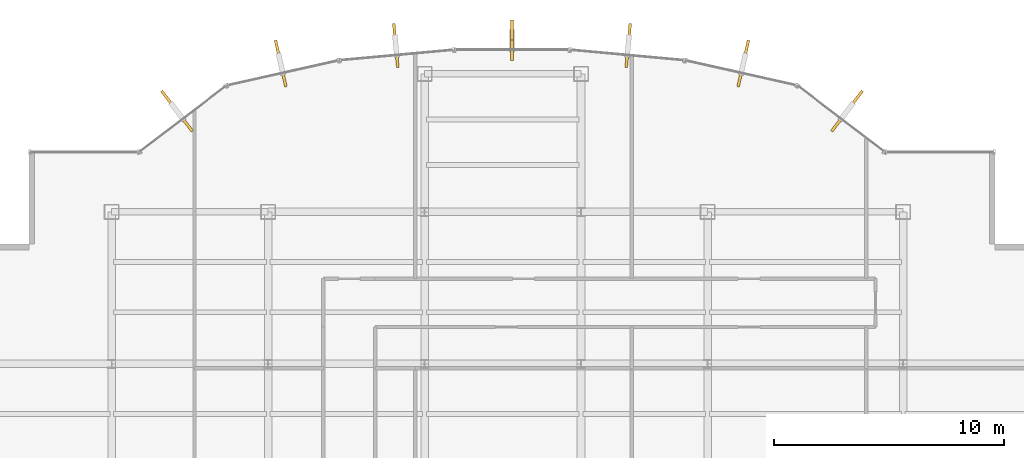
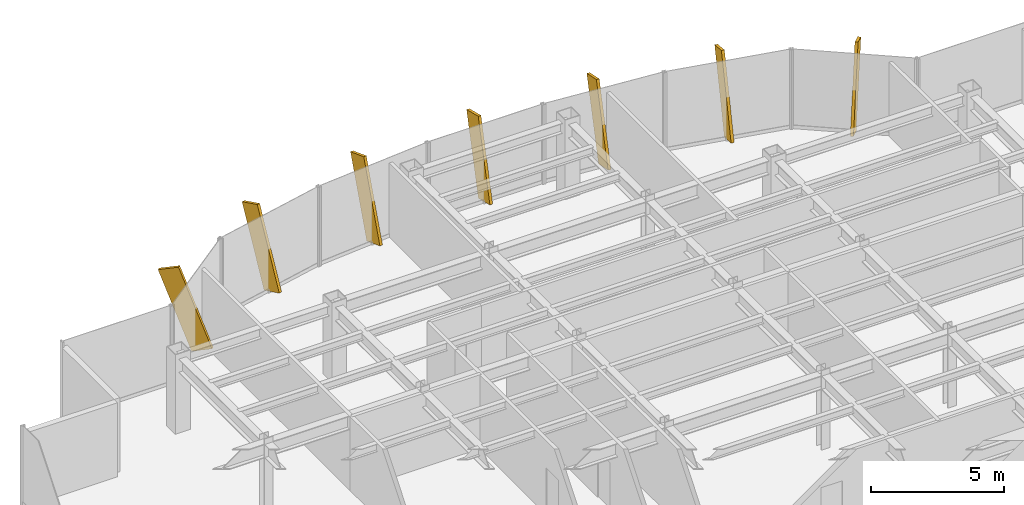
# One storey, part 24 of 25: 7 shading devices.
"""IFC4 building model written with IfcOpenShell, lengths in metres."""

from ifc_helpers import new_model, si_unit, derived_unit, direction, frame, origin, origin_2d, place, context, subcontext, project, spatial, rectangle, extrude, source, transform, mapped, material, type_object, element, save


model = new_model("IFC4")

# Units and contexts
model_context = context("Model", 3, precision=1e-05, world=origin(), true_north=direction((0.0, 1.0)))
body_context = subcontext(model_context, "Body", "Model", "MODEL_VIEW")
ifc_project = project(units=[si_unit("LENGTHUNIT", "METRE"), si_unit("AREAUNIT", "SQUARE_METRE"), si_unit("VOLUMEUNIT", "CUBIC_METRE"), si_unit("PLANEANGLEUNIT", "RADIAN"), si_unit("MASSUNIT", "GRAM", prefix="KILO"), derived_unit("THERMALTRANSMITTANCEUNIT", [(si_unit("POWERUNIT", "WATT"), 1), (si_unit("LENGTHUNIT", "METRE"), -2), (si_unit("THERMODYNAMICTEMPERATUREUNIT", "KELVIN"), -1)])], contexts=[model_context])

# Site, building, storey
site_placement = place(None, origin())
site = spatial("IfcSite", under=ifc_project, at=site_placement, CompositionType="ELEMENT")
building_placement = place(site_placement, origin())
building = spatial("IfcBuilding", under=site, at=building_placement, Name="Skarnbrae Concourse Arena and Tower", CompositionType="ELEMENT")
storey_placement = place(building_placement, frame((0.0, 0.0, 173.449951171875)))
storey = spatial("IfcBuildingStorey", under=building, at=storey_placement, Name="L44", CompositionType="ELEMENT", Elevation=173.449951171875)

# Shading devices
ifc_material = material(Name="Bronze anodised aluminium 6063-T6", Category="aluminium")
shading_device_type = type_object("IfcShadingDeviceType", Name="SHD-BRONZE-FIN-900", PredefinedType="USERDEFINED", material=ifc_material)
shared_shape = source(origin(), body_context, "Body", "SweptSolid", [
    extrude(rectangle(XDim=0.1201171875, YDim=0.89990234375, at=origin_2d()), origin(), (0.0, 0.0, 1.0), 3.64990234375),
])
for number, where, z_axis, x_axis, name in (
    (1, (39.14453125, 38.236572265625, 0.133056640625), (0.227360181444, 0.297924001033, 0.927118459261), (0.794954941871, -0.606668476513, 0.0), "L44 Outward-leaning bronze shading fin 08"),
    (2, (34.919189453125, 40.252685546875, 0.10546875), (0.07307621312, 0.327058247596, 0.942174490079), (0.975935794812, -0.218058075762, 0.0), "L44 Outward-leaning bronze shading fin 09"),
    (3, (30.002197265625, 41.10888671875, 0.077880859375), (0.026416928289, 0.287989819197, 0.957269037387), (0.99581928833, -0.091345196863, 0.0), "L44 Outward-leaning bronze shading fin 10"),
    (4, (25.0, 41.424072265625, 0.05419921875), (0.0, 0.2419218956, 0.970295726276), (1.0, 0.0, 0.0), "L44 Outward-leaning bronze shading fin 11"),
    (5, (19.997802734375, 41.10888671875, 0.077880859375), (-0.026416928289, 0.287989819197, 0.957269037387), (0.99581928833, 0.091345196863, 0.0), "L44 Outward-leaning bronze shading fin 12"),
    (6, (15.080810546875, 40.252685546875, 0.10546875), (-0.07307621312, 0.327058247596, 0.942174490079), (0.975935794812, 0.218058075762, 0.0), "L44 Outward-leaning bronze shading fin 13"),
    (7, (10.85546875, 38.236572265625, 0.133056640625), (-0.227360181444, 0.297924001033, 0.927118459261), (0.794954941871, 0.606668476513, 0.0), "L44 Outward-leaning bronze shading fin 14"),
):
    element("IfcShadingDevice", number, at=place(storey_placement, frame(where, z_axis=z_axis, x_axis=x_axis)), inside=storey, type_object=shading_device_type, Name=name, ObjectType="FIN", PredefinedType="USERDEFINED", context=body_context, shape_type="MappedRepresentation", body=[
        mapped(shared_shape, transform((0.0, 0.0, 0.0))),
    ])

save(model, "model.ifc")
